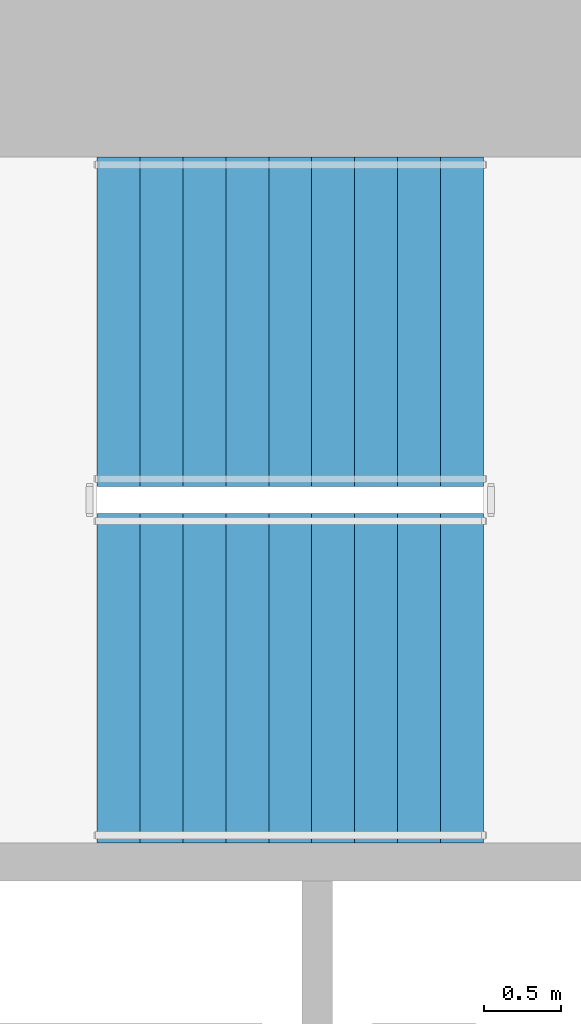
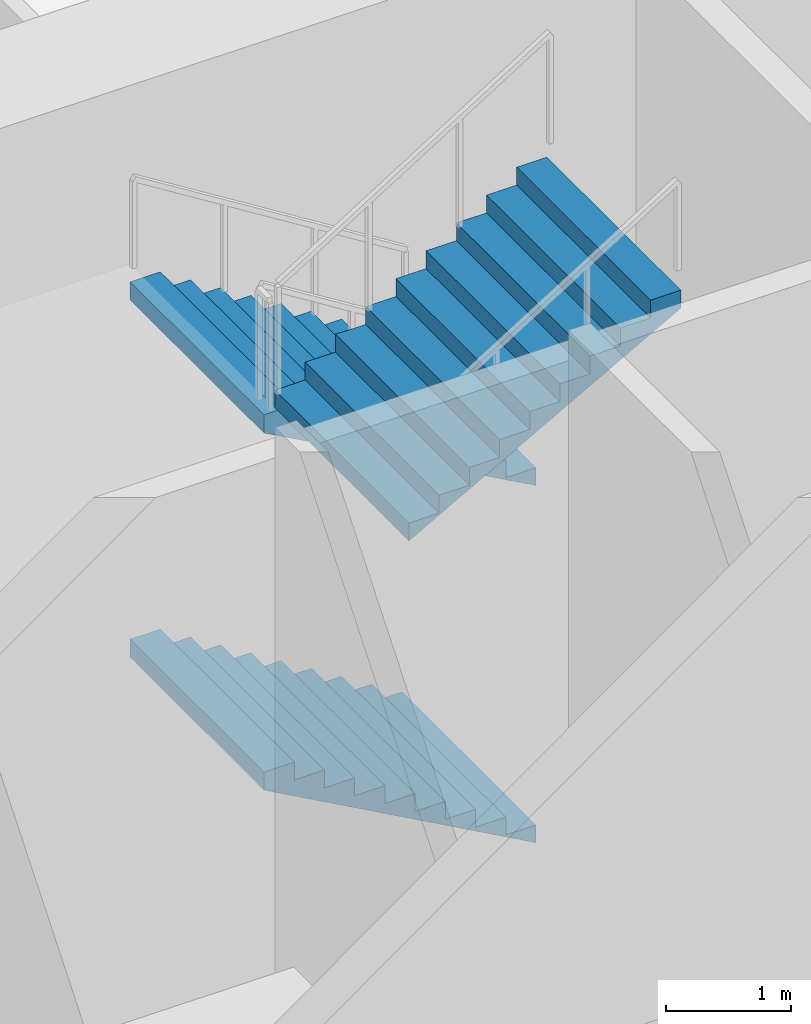
# One storey, part 17 of 22: 3 stair flights, 1 element without a shape of its own.
"""IFC4 building model written with IfcOpenShell, lengths in metres."""

from ifc_helpers import new_model, si_unit, direction, frame, origin, place, context, subcontext, project, spatial, triangles, material, type_object, element, aggregate, save


model = new_model("IFC4")

# Units and contexts
model_context = context("Model", 3, precision=1e-05, world=origin(), true_north=direction((0.0, 1.0)))
body_context = subcontext(model_context, "Body", "Model", "MODEL_VIEW")
ifc_project = project(units=[si_unit("LENGTHUNIT", "METRE"), si_unit("AREAUNIT", "SQUARE_METRE"), si_unit("VOLUMEUNIT", "CUBIC_METRE"), si_unit("PLANEANGLEUNIT", "RADIAN"), si_unit("MASSUNIT", "GRAM", prefix="KILO")], contexts=[model_context])

# Site, building, storey
site_placement = place(None, origin())
site = spatial("IfcSite", under=ifc_project, at=site_placement, CompositionType="ELEMENT")
building_placement = place(site_placement, origin())
building = spatial("IfcBuilding", under=site, at=building_placement, Name="Cypress Arch Tower", CompositionType="ELEMENT")
storey_placement = place(building_placement, frame((0.0, 0.0, 145.5)))
storey = spatial("IfcBuildingStorey", under=building, at=storey_placement, Name="L32", CompositionType="ELEMENT", Elevation=145.5)

# Stair, stair flights
ifc_material_1 = material(Name="Concrete C40/50", Category="concrete")
stair_type = type_object("IfcStairType", Name="Exit stair ES1750-215", PredefinedType="HALF_TURN_STAIR", material=ifc_material_1)
stair_placement = place(storey_placement, origin())
stair = element("IfcStair", 1, at=stair_placement, inside=storey, type_object=stair_type, Name="L32 Exit stair B", PredefinedType="HALF_TURN_STAIR")
ifc_material_2 = material(Name="Concrete C40/50", Category="concrete")
stair_flight_type = type_object("IfcStairFlightType", Name="Exit stair flight ES1750-215", PredefinedType="STRAIGHT", material=ifc_material_2)
stair_flight_1_placement = place(storey_placement, frame((-22.27490234375, 13.72509765625, 0.0), z_axis=(0.0, 0.0, 1.0), x_axis=(-1.0, 0.0, 0.0)))
stair_flight_1 = element("IfcStairFlight", 2, at=stair_flight_1_placement, type_object=stair_flight_type, Name="B flight 1", NumberOfRisers=10, NumberOfTreads=9, PredefinedType="STRAIGHT", RiserHeight=0.175, TreadLength=0.28, context=body_context, shape_type="Tessellation", body=[
    triangles([(0.0, -1.074951171875, 0.0), (0.000244140625, -1.074951171875, 0.01953125), (0.000244140625, -1.074951171875, 0.038818359375), (0.00048828125, -1.074951171875, 0.058349609375), (0.00048828125, -1.074951171875, 0.077880859375), (0.00048828125, -1.074951171875, 0.09716796875), (0.00048828125, -1.074951171875, 0.11669921875), (0.000244140625, -1.074951171875, 0.13623046875), (0.000244140625, -1.074951171875, 0.155517578125), (0.0, -1.074951171875, 0.175048828125), (0.280029296875, -1.074951171875, 0.175048828125), (0.280029296875, -1.074951171875, 0.35009765625), (0.56005859375, -1.074951171875, 0.35009765625), (0.56005859375, -1.074951171875, 0.52490234375), (0.840087890625, -1.074951171875, 0.52490234375), (0.840087890625, -1.074951171875, 0.699951171875), (1.1201171875, -1.074951171875, 0.699951171875), (1.1201171875, -1.074951171875, 0.875), (1.39990234375, -1.074951171875, 0.875), (1.39990234375, -1.074951171875, 1.050048828125), (1.679931640625, -1.074951171875, 1.050048828125), (1.679931640625, -1.074951171875, 1.22509765625), (1.9599609375, -1.074951171875, 1.22509765625), (1.9599609375, -1.074951171875, 1.39990234375), (2.239990234375, -1.074951171875, 1.39990234375), (2.239990234375, -1.074951171875, 1.574951171875), (2.52001953125, -1.074951171875, 1.574951171875), (2.519775390625, -1.074951171875, 1.555419921875), (2.519775390625, -1.074951171875, 1.53564453125), (2.51953125, -1.074951171875, 1.51611328125), (2.51953125, -1.074951171875, 1.496337890625), (2.51953125, -1.074951171875, 1.476806640625), (2.51953125, -1.074951171875, 1.45703125), (2.519775390625, -1.074951171875, 1.4375), (2.519775390625, -1.074951171875, 1.417724609375), (2.52001953125, -1.074951171875, 1.398193359375), (2.52001953125, 1.074951171875, 1.398193359375), (2.519775390625, 1.074951171875, 1.417724609375), (2.519775390625, 1.074951171875, 1.4375), (2.51953125, 1.074951171875, 1.45703125), (2.51953125, 1.074951171875, 1.476806640625), (2.51953125, 1.074951171875, 1.496337890625), (2.51953125, 1.074951171875, 1.51611328125), (2.519775390625, 1.074951171875, 1.53564453125), (2.519775390625, 1.074951171875, 1.555419921875), (2.52001953125, 1.074951171875, 1.574951171875), (2.239990234375, 1.074951171875, 1.574951171875), (2.239990234375, 1.074951171875, 1.39990234375), (1.9599609375, 1.074951171875, 1.39990234375), (1.9599609375, 1.074951171875, 1.22509765625), (1.679931640625, 1.074951171875, 1.22509765625), (1.679931640625, 1.074951171875, 1.050048828125), (1.39990234375, 1.074951171875, 1.050048828125), (1.39990234375, 1.074951171875, 0.875), (1.1201171875, 1.074951171875, 0.875), (1.1201171875, 1.074951171875, 0.699951171875), (0.840087890625, 1.074951171875, 0.699951171875), (0.840087890625, 1.074951171875, 0.52490234375), (0.56005859375, 1.074951171875, 0.52490234375), (0.56005859375, 1.074951171875, 0.35009765625), (0.280029296875, 1.074951171875, 0.35009765625), (0.280029296875, 1.074951171875, 0.175048828125), (0.0, 1.074951171875, 0.175048828125), (0.000244140625, 1.074951171875, 0.155517578125), (0.000244140625, 1.074951171875, 0.13623046875), (0.00048828125, 1.074951171875, 0.11669921875), (0.00048828125, 1.074951171875, 0.09716796875), (0.00048828125, 1.074951171875, 0.077880859375), (0.00048828125, 1.074951171875, 0.058349609375), (0.000244140625, 1.074951171875, 0.038818359375), (0.000244140625, 1.074951171875, 0.01953125), (0.0, 1.074951171875, 0.0), (2.519775390625, 0.0, 1.417724609375), (2.52001953125, 0.0, 1.398193359375), (2.519775390625, 0.0, 1.4375), (2.51953125, 0.0, 1.45703125), (2.51953125, 0.0, 1.476806640625), (2.51953125, 0.0, 1.496337890625), (2.51953125, 0.0, 1.51611328125), (2.519775390625, 0.0, 1.53564453125), (2.519775390625, 0.0, 1.555419921875), (2.52001953125, 0.0, 1.574951171875), (2.239990234375, 0.0, 1.574951171875), (2.239990234375, 0.0, 1.39990234375), (1.9599609375, 0.0, 1.39990234375), (1.9599609375, 0.0, 1.22509765625), (1.679931640625, 0.0, 1.22509765625), (1.679931640625, 0.0, 1.050048828125), (1.39990234375, 0.0, 1.050048828125), (1.39990234375, 0.0, 0.875), (1.1201171875, 0.0, 0.875), (1.1201171875, 0.0, 0.699951171875), (0.840087890625, 0.0, 0.699951171875), (0.840087890625, 0.0, 0.52490234375), (0.56005859375, 0.0, 0.52490234375), (0.56005859375, 0.0, 0.35009765625), (0.280029296875, 0.0, 0.35009765625), (0.280029296875, 0.0, 0.175048828125), (0.0, 0.0, 0.175048828125), (0.000244140625, 0.0, 0.155517578125), (0.000244140625, 0.0, 0.13623046875), (0.00048828125, 0.0, 0.11669921875), (0.00048828125, 0.0, 0.09716796875), (0.00048828125, 0.0, 0.077880859375), (0.00048828125, 0.0, 0.058349609375), (0.000244140625, 0.0, 0.038818359375), (0.000244140625, 0.0, 0.01953125), (0.0, 0.0, 0.0)], [[36, 35, 26], [35, 34, 26], [34, 33, 26], [33, 32, 26], [32, 31, 26], [31, 30, 26], [30, 29, 26], [29, 28, 26], [28, 27, 26], [19, 18, 17], [23, 22, 21], [21, 20, 19], [17, 16, 15], [13, 12, 11], [10, 9, 11], [9, 8, 11], [8, 7, 11], [7, 6, 11], [6, 5, 11], [5, 4, 11], [4, 3, 11], [3, 2, 11], [2, 1, 11], [25, 24, 23], [15, 14, 13], [36, 26, 25], [36, 25, 23], [36, 23, 21], [36, 21, 19], [36, 19, 17], [36, 17, 15], [1, 36, 15], [15, 13, 11], [15, 11, 1], [37, 47, 38], [38, 47, 39], [39, 47, 40], [40, 47, 41], [41, 47, 42], [42, 47, 43], [43, 47, 44], [44, 47, 45], [45, 47, 46], [54, 56, 55], [50, 52, 51], [52, 54, 53], [56, 58, 57], [60, 62, 61], [63, 62, 64], [64, 62, 65], [65, 62, 66], [66, 62, 67], [67, 62, 68], [68, 62, 69], [69, 62, 70], [70, 62, 71], [71, 62, 72], [48, 50, 49], [58, 60, 59], [37, 48, 47], [37, 50, 48], [37, 52, 50], [37, 54, 52], [37, 56, 54], [37, 58, 56], [72, 58, 37], [58, 62, 60], [58, 72, 62], [74, 73, 35], [74, 35, 36], [37, 38, 73], [37, 73, 74], [73, 75, 34], [73, 34, 35], [38, 39, 75], [38, 75, 73], [75, 76, 33], [75, 33, 34], [39, 40, 76], [39, 76, 75], [76, 77, 32], [76, 32, 33], [40, 41, 77], [40, 77, 76], [77, 78, 31], [77, 31, 32], [41, 42, 78], [41, 78, 77], [78, 79, 30], [78, 30, 31], [42, 43, 79], [42, 79, 78], [79, 80, 29], [79, 29, 30], [43, 44, 80], [43, 80, 79], [80, 81, 28], [80, 28, 29], [44, 45, 81], [44, 81, 80], [81, 82, 27], [81, 27, 28], [45, 46, 82], [45, 82, 81], [82, 83, 26], [82, 26, 27], [46, 47, 83], [46, 83, 82], [83, 84, 25], [83, 25, 26], [47, 48, 84], [47, 84, 83], [84, 85, 24], [84, 24, 25], [48, 49, 85], [48, 85, 84], [85, 86, 23], [85, 23, 24], [49, 50, 86], [49, 86, 85], [86, 87, 22], [86, 22, 23], [50, 51, 87], [50, 87, 86], [87, 88, 21], [87, 21, 22], [51, 52, 88], [51, 88, 87], [88, 89, 20], [88, 20, 21], [52, 53, 89], [52, 89, 88], [89, 90, 19], [89, 19, 20], [53, 54, 90], [53, 90, 89], [90, 91, 18], [90, 18, 19], [54, 55, 91], [54, 91, 90], [91, 92, 17], [91, 17, 18], [55, 56, 92], [55, 92, 91], [92, 93, 16], [92, 16, 17], [56, 57, 93], [56, 93, 92], [93, 94, 15], [93, 15, 16], [57, 58, 94], [57, 94, 93], [94, 95, 14], [94, 14, 15], [58, 59, 95], [58, 95, 94], [95, 96, 13], [95, 13, 14], [59, 60, 96], [59, 96, 95], [96, 97, 12], [96, 12, 13], [60, 61, 97], [60, 97, 96], [97, 98, 11], [97, 11, 12], [61, 62, 98], [61, 98, 97], [98, 99, 10], [98, 10, 11], [62, 63, 99], [62, 99, 98], [99, 100, 9], [99, 9, 10], [63, 64, 100], [63, 100, 99], [100, 101, 8], [100, 8, 9], [64, 65, 101], [64, 101, 100], [101, 102, 7], [101, 7, 8], [65, 66, 102], [65, 102, 101], [102, 103, 6], [102, 6, 7], [66, 67, 103], [66, 103, 102], [103, 104, 5], [103, 5, 6], [67, 68, 104], [67, 104, 103], [104, 105, 4], [104, 4, 5], [68, 69, 105], [68, 105, 104], [105, 106, 3], [105, 3, 4], [69, 70, 106], [69, 106, 105], [106, 107, 2], [106, 2, 3], [70, 71, 107], [70, 107, 106], [107, 108, 1], [107, 1, 2], [71, 72, 108], [71, 108, 107], [108, 74, 36], [108, 36, 1], [72, 37, 74], [72, 74, 108]], closed=True),
])
stair_flight_2_placement = place(storey_placement, frame((-22.27490234375, 13.72509765625, 3.5), z_axis=(0.0, 0.0, 1.0), x_axis=(-1.0, 0.0, 0.0)))
stair_flight_2 = element("IfcStairFlight", 3, at=stair_flight_2_placement, type_object=stair_flight_type, Name="B flight 3", NumberOfRisers=10, NumberOfTreads=9, PredefinedType="STRAIGHT", RiserHeight=0.175, TreadLength=0.28, context=body_context, shape_type="Tessellation", body=[
    triangles([(0.0, -1.074951171875, 0.0), (0.000244140625, -1.074951171875, 0.01953125), (0.000244140625, -1.074951171875, 0.038818359375), (0.00048828125, -1.074951171875, 0.058349609375), (0.00048828125, -1.074951171875, 0.077880859375), (0.00048828125, -1.074951171875, 0.09716796875), (0.00048828125, -1.074951171875, 0.11669921875), (0.000244140625, -1.074951171875, 0.13623046875), (0.000244140625, -1.074951171875, 0.155517578125), (0.0, -1.074951171875, 0.175048828125), (0.280029296875, -1.074951171875, 0.175048828125), (0.280029296875, -1.074951171875, 0.35009765625), (0.56005859375, -1.074951171875, 0.35009765625), (0.56005859375, -1.074951171875, 0.52490234375), (0.840087890625, -1.074951171875, 0.52490234375), (0.840087890625, -1.074951171875, 0.699951171875), (1.1201171875, -1.074951171875, 0.699951171875), (1.1201171875, -1.074951171875, 0.875), (1.39990234375, -1.074951171875, 0.875), (1.39990234375, -1.074951171875, 1.050048828125), (1.679931640625, -1.074951171875, 1.050048828125), (1.679931640625, -1.074951171875, 1.22509765625), (1.9599609375, -1.074951171875, 1.22509765625), (1.9599609375, -1.074951171875, 1.39990234375), (2.239990234375, -1.074951171875, 1.39990234375), (2.239990234375, -1.074951171875, 1.574951171875), (2.52001953125, -1.074951171875, 1.574951171875), (2.519775390625, -1.074951171875, 1.555419921875), (2.519775390625, -1.074951171875, 1.53564453125), (2.51953125, -1.074951171875, 1.51611328125), (2.51953125, -1.074951171875, 1.496337890625), (2.51953125, -1.074951171875, 1.476806640625), (2.51953125, -1.074951171875, 1.45703125), (2.519775390625, -1.074951171875, 1.4375), (2.519775390625, -1.074951171875, 1.417724609375), (2.52001953125, -1.074951171875, 1.398193359375), (2.52001953125, 1.074951171875, 1.398193359375), (2.519775390625, 1.074951171875, 1.417724609375), (2.519775390625, 1.074951171875, 1.4375), (2.51953125, 1.074951171875, 1.45703125), (2.51953125, 1.074951171875, 1.476806640625), (2.51953125, 1.074951171875, 1.496337890625), (2.51953125, 1.074951171875, 1.51611328125), (2.519775390625, 1.074951171875, 1.53564453125), (2.519775390625, 1.074951171875, 1.555419921875), (2.52001953125, 1.074951171875, 1.574951171875), (2.239990234375, 1.074951171875, 1.574951171875), (2.239990234375, 1.074951171875, 1.39990234375), (1.9599609375, 1.074951171875, 1.39990234375), (1.9599609375, 1.074951171875, 1.22509765625), (1.679931640625, 1.074951171875, 1.22509765625), (1.679931640625, 1.074951171875, 1.050048828125), (1.39990234375, 1.074951171875, 1.050048828125), (1.39990234375, 1.074951171875, 0.875), (1.1201171875, 1.074951171875, 0.875), (1.1201171875, 1.074951171875, 0.699951171875), (0.840087890625, 1.074951171875, 0.699951171875), (0.840087890625, 1.074951171875, 0.52490234375), (0.56005859375, 1.074951171875, 0.52490234375), (0.56005859375, 1.074951171875, 0.35009765625), (0.280029296875, 1.074951171875, 0.35009765625), (0.280029296875, 1.074951171875, 0.175048828125), (0.0, 1.074951171875, 0.175048828125), (0.000244140625, 1.074951171875, 0.155517578125), (0.000244140625, 1.074951171875, 0.13623046875), (0.00048828125, 1.074951171875, 0.11669921875), (0.00048828125, 1.074951171875, 0.09716796875), (0.00048828125, 1.074951171875, 0.077880859375), (0.00048828125, 1.074951171875, 0.058349609375), (0.000244140625, 1.074951171875, 0.038818359375), (0.000244140625, 1.074951171875, 0.01953125), (0.0, 1.074951171875, 0.0), (2.519775390625, 0.0, 1.417724609375), (2.52001953125, 0.0, 1.398193359375), (2.519775390625, 0.0, 1.4375), (2.51953125, 0.0, 1.45703125), (2.51953125, 0.0, 1.476806640625), (2.51953125, 0.0, 1.496337890625), (2.51953125, 0.0, 1.51611328125), (2.519775390625, 0.0, 1.53564453125), (2.519775390625, 0.0, 1.555419921875), (2.52001953125, 0.0, 1.574951171875), (2.239990234375, 0.0, 1.574951171875), (2.239990234375, 0.0, 1.39990234375), (1.9599609375, 0.0, 1.39990234375), (1.9599609375, 0.0, 1.22509765625), (1.679931640625, 0.0, 1.22509765625), (1.679931640625, 0.0, 1.050048828125), (1.39990234375, 0.0, 1.050048828125), (1.39990234375, 0.0, 0.875), (1.1201171875, 0.0, 0.875), (1.1201171875, 0.0, 0.699951171875), (0.840087890625, 0.0, 0.699951171875), (0.840087890625, 0.0, 0.52490234375), (0.56005859375, 0.0, 0.52490234375), (0.56005859375, 0.0, 0.35009765625), (0.280029296875, 0.0, 0.35009765625), (0.280029296875, 0.0, 0.175048828125), (0.0, 0.0, 0.175048828125), (0.000244140625, 0.0, 0.155517578125), (0.000244140625, 0.0, 0.13623046875), (0.00048828125, 0.0, 0.11669921875), (0.00048828125, 0.0, 0.09716796875), (0.00048828125, 0.0, 0.077880859375), (0.00048828125, 0.0, 0.058349609375), (0.000244140625, 0.0, 0.038818359375), (0.000244140625, 0.0, 0.01953125), (0.0, 0.0, 0.0)], [[36, 35, 26], [35, 34, 26], [34, 33, 26], [33, 32, 26], [32, 31, 26], [31, 30, 26], [30, 29, 26], [29, 28, 26], [28, 27, 26], [19, 18, 17], [23, 22, 21], [21, 20, 19], [17, 16, 15], [13, 12, 11], [10, 9, 11], [9, 8, 11], [8, 7, 11], [7, 6, 11], [6, 5, 11], [5, 4, 11], [4, 3, 11], [3, 2, 11], [2, 1, 11], [25, 24, 23], [15, 14, 13], [36, 26, 25], [36, 25, 23], [36, 23, 21], [36, 21, 19], [36, 19, 17], [36, 17, 15], [1, 36, 15], [15, 13, 11], [15, 11, 1], [37, 47, 38], [38, 47, 39], [39, 47, 40], [40, 47, 41], [41, 47, 42], [42, 47, 43], [43, 47, 44], [44, 47, 45], [45, 47, 46], [54, 56, 55], [50, 52, 51], [52, 54, 53], [56, 58, 57], [60, 62, 61], [63, 62, 64], [64, 62, 65], [65, 62, 66], [66, 62, 67], [67, 62, 68], [68, 62, 69], [69, 62, 70], [70, 62, 71], [71, 62, 72], [48, 50, 49], [58, 60, 59], [37, 48, 47], [37, 50, 48], [37, 52, 50], [37, 54, 52], [37, 56, 54], [37, 58, 56], [72, 58, 37], [58, 62, 60], [58, 72, 62], [74, 73, 35], [74, 35, 36], [37, 38, 73], [37, 73, 74], [73, 75, 34], [73, 34, 35], [38, 39, 75], [38, 75, 73], [75, 76, 33], [75, 33, 34], [39, 40, 76], [39, 76, 75], [76, 77, 32], [76, 32, 33], [40, 41, 77], [40, 77, 76], [77, 78, 31], [77, 31, 32], [41, 42, 78], [41, 78, 77], [78, 79, 30], [78, 30, 31], [42, 43, 79], [42, 79, 78], [79, 80, 29], [79, 29, 30], [43, 44, 80], [43, 80, 79], [80, 81, 28], [80, 28, 29], [44, 45, 81], [44, 81, 80], [81, 82, 27], [81, 27, 28], [45, 46, 82], [45, 82, 81], [82, 83, 26], [82, 26, 27], [46, 47, 83], [46, 83, 82], [83, 84, 25], [83, 25, 26], [47, 48, 84], [47, 84, 83], [84, 85, 24], [84, 24, 25], [48, 49, 85], [48, 85, 84], [85, 86, 23], [85, 23, 24], [49, 50, 86], [49, 86, 85], [86, 87, 22], [86, 22, 23], [50, 51, 87], [50, 87, 86], [87, 88, 21], [87, 21, 22], [51, 52, 88], [51, 88, 87], [88, 89, 20], [88, 20, 21], [52, 53, 89], [52, 89, 88], [89, 90, 19], [89, 19, 20], [53, 54, 90], [53, 90, 89], [90, 91, 18], [90, 18, 19], [54, 55, 91], [54, 91, 90], [91, 92, 17], [91, 17, 18], [55, 56, 92], [55, 92, 91], [92, 93, 16], [92, 16, 17], [56, 57, 93], [56, 93, 92], [93, 94, 15], [93, 15, 16], [57, 58, 94], [57, 94, 93], [94, 95, 14], [94, 14, 15], [58, 59, 95], [58, 95, 94], [95, 96, 13], [95, 13, 14], [59, 60, 96], [59, 96, 95], [96, 97, 12], [96, 12, 13], [60, 61, 97], [60, 97, 96], [97, 98, 11], [97, 11, 12], [61, 62, 98], [61, 98, 97], [98, 99, 10], [98, 10, 11], [62, 63, 99], [62, 99, 98], [99, 100, 9], [99, 9, 10], [63, 64, 100], [63, 100, 99], [100, 101, 8], [100, 8, 9], [64, 65, 101], [64, 101, 100], [101, 102, 7], [101, 7, 8], [65, 66, 102], [65, 102, 101], [102, 103, 6], [102, 6, 7], [66, 67, 103], [66, 103, 102], [103, 104, 5], [103, 5, 6], [67, 68, 104], [67, 104, 103], [104, 105, 4], [104, 4, 5], [68, 69, 105], [68, 105, 104], [105, 106, 3], [105, 3, 4], [69, 70, 106], [69, 106, 105], [106, 107, 2], [106, 2, 3], [70, 71, 107], [70, 107, 106], [107, 108, 1], [107, 1, 2], [71, 72, 108], [71, 108, 107], [108, 74, 36], [108, 36, 1], [72, 37, 74], [72, 74, 108]], closed=True),
])
stair_flight_3_placement = place(storey_placement, frame((-24.794921875, 11.39990234375, 5.25), z_axis=(0.0, 0.0, 1.0), x_axis=(1.0, 0.0, 0.0)))
stair_flight_3 = element("IfcStairFlight", 4, at=stair_flight_3_placement, type_object=stair_flight_type, Name="B flight 4", NumberOfRisers=10, NumberOfTreads=9, PredefinedType="STRAIGHT", RiserHeight=0.175, TreadLength=0.28, context=body_context, shape_type="Tessellation", body=[
    triangles([(0.0, -1.074951171875, 0.0), (0.000244140625, -1.074951171875, 0.01953125), (0.000244140625, -1.074951171875, 0.038818359375), (0.00048828125, -1.074951171875, 0.058349609375), (0.00048828125, -1.074951171875, 0.077880859375), (0.00048828125, -1.074951171875, 0.09716796875), (0.00048828125, -1.074951171875, 0.11669921875), (0.000244140625, -1.074951171875, 0.13623046875), (0.000244140625, -1.074951171875, 0.155517578125), (0.0, -1.074951171875, 0.175048828125), (0.280029296875, -1.074951171875, 0.175048828125), (0.280029296875, -1.074951171875, 0.35009765625), (0.56005859375, -1.074951171875, 0.35009765625), (0.56005859375, -1.074951171875, 0.52490234375), (0.840087890625, -1.074951171875, 0.52490234375), (0.840087890625, -1.074951171875, 0.699951171875), (1.1201171875, -1.074951171875, 0.699951171875), (1.1201171875, -1.074951171875, 0.875), (1.39990234375, -1.074951171875, 0.875), (1.39990234375, -1.074951171875, 1.050048828125), (1.679931640625, -1.074951171875, 1.050048828125), (1.679931640625, -1.074951171875, 1.22509765625), (1.9599609375, -1.074951171875, 1.22509765625), (1.9599609375, -1.074951171875, 1.39990234375), (2.239990234375, -1.074951171875, 1.39990234375), (2.239990234375, -1.074951171875, 1.574951171875), (2.52001953125, -1.074951171875, 1.574951171875), (2.519775390625, -1.074951171875, 1.555419921875), (2.519775390625, -1.074951171875, 1.53564453125), (2.51953125, -1.074951171875, 1.51611328125), (2.51953125, -1.074951171875, 1.496337890625), (2.51953125, -1.074951171875, 1.476806640625), (2.51953125, -1.074951171875, 1.45703125), (2.519775390625, -1.074951171875, 1.4375), (2.519775390625, -1.074951171875, 1.417724609375), (2.52001953125, -1.074951171875, 1.398193359375), (2.52001953125, 1.074951171875, 1.398193359375), (2.519775390625, 1.074951171875, 1.417724609375), (2.519775390625, 1.074951171875, 1.4375), (2.51953125, 1.074951171875, 1.45703125), (2.51953125, 1.074951171875, 1.476806640625), (2.51953125, 1.074951171875, 1.496337890625), (2.51953125, 1.074951171875, 1.51611328125), (2.519775390625, 1.074951171875, 1.53564453125), (2.519775390625, 1.074951171875, 1.555419921875), (2.52001953125, 1.074951171875, 1.574951171875), (2.239990234375, 1.074951171875, 1.574951171875), (2.239990234375, 1.074951171875, 1.39990234375), (1.9599609375, 1.074951171875, 1.39990234375), (1.9599609375, 1.074951171875, 1.22509765625), (1.679931640625, 1.074951171875, 1.22509765625), (1.679931640625, 1.074951171875, 1.050048828125), (1.39990234375, 1.074951171875, 1.050048828125), (1.39990234375, 1.074951171875, 0.875), (1.1201171875, 1.074951171875, 0.875), (1.1201171875, 1.074951171875, 0.699951171875), (0.840087890625, 1.074951171875, 0.699951171875), (0.840087890625, 1.074951171875, 0.52490234375), (0.56005859375, 1.074951171875, 0.52490234375), (0.56005859375, 1.074951171875, 0.35009765625), (0.280029296875, 1.074951171875, 0.35009765625), (0.280029296875, 1.074951171875, 0.175048828125), (0.0, 1.074951171875, 0.175048828125), (0.000244140625, 1.074951171875, 0.155517578125), (0.000244140625, 1.074951171875, 0.13623046875), (0.00048828125, 1.074951171875, 0.11669921875), (0.00048828125, 1.074951171875, 0.09716796875), (0.00048828125, 1.074951171875, 0.077880859375), (0.00048828125, 1.074951171875, 0.058349609375), (0.000244140625, 1.074951171875, 0.038818359375), (0.000244140625, 1.074951171875, 0.01953125), (0.0, 1.074951171875, 0.0), (2.519775390625, 0.0, 1.417724609375), (2.52001953125, 0.0, 1.398193359375), (2.519775390625, 0.0, 1.4375), (2.51953125, 0.0, 1.45703125), (2.51953125, 0.0, 1.476806640625), (2.51953125, 0.0, 1.496337890625), (2.51953125, 0.0, 1.51611328125), (2.519775390625, 0.0, 1.53564453125), (2.519775390625, 0.0, 1.555419921875), (2.52001953125, 0.0, 1.574951171875), (2.239990234375, 0.0, 1.574951171875), (2.239990234375, 0.0, 1.39990234375), (1.9599609375, 0.0, 1.39990234375), (1.9599609375, 0.0, 1.22509765625), (1.679931640625, 0.0, 1.22509765625), (1.679931640625, 0.0, 1.050048828125), (1.39990234375, 0.0, 1.050048828125), (1.39990234375, 0.0, 0.875), (1.1201171875, 0.0, 0.875), (1.1201171875, 0.0, 0.699951171875), (0.840087890625, 0.0, 0.699951171875), (0.840087890625, 0.0, 0.52490234375), (0.56005859375, 0.0, 0.52490234375), (0.56005859375, 0.0, 0.35009765625), (0.280029296875, 0.0, 0.35009765625), (0.280029296875, 0.0, 0.175048828125), (0.0, 0.0, 0.175048828125), (0.000244140625, 0.0, 0.155517578125), (0.000244140625, 0.0, 0.13623046875), (0.00048828125, 0.0, 0.11669921875), (0.00048828125, 0.0, 0.09716796875), (0.00048828125, 0.0, 0.077880859375), (0.00048828125, 0.0, 0.058349609375), (0.000244140625, 0.0, 0.038818359375), (0.000244140625, 0.0, 0.01953125), (0.0, 0.0, 0.0)], [[36, 35, 26], [35, 34, 26], [34, 33, 26], [33, 32, 26], [32, 31, 26], [31, 30, 26], [30, 29, 26], [29, 28, 26], [28, 27, 26], [19, 18, 17], [23, 22, 21], [21, 20, 19], [17, 16, 15], [13, 12, 11], [10, 9, 11], [9, 8, 11], [8, 7, 11], [7, 6, 11], [6, 5, 11], [5, 4, 11], [4, 3, 11], [3, 2, 11], [2, 1, 11], [25, 24, 23], [15, 14, 13], [36, 26, 25], [36, 25, 23], [36, 23, 21], [36, 21, 19], [36, 19, 17], [36, 17, 15], [1, 36, 15], [15, 13, 11], [15, 11, 1], [37, 47, 38], [38, 47, 39], [39, 47, 40], [40, 47, 41], [41, 47, 42], [42, 47, 43], [43, 47, 44], [44, 47, 45], [45, 47, 46], [54, 56, 55], [50, 52, 51], [52, 54, 53], [56, 58, 57], [60, 62, 61], [63, 62, 64], [64, 62, 65], [65, 62, 66], [66, 62, 67], [67, 62, 68], [68, 62, 69], [69, 62, 70], [70, 62, 71], [71, 62, 72], [48, 50, 49], [58, 60, 59], [37, 48, 47], [37, 50, 48], [37, 52, 50], [37, 54, 52], [37, 56, 54], [37, 58, 56], [72, 58, 37], [58, 62, 60], [58, 72, 62], [74, 73, 35], [74, 35, 36], [37, 38, 73], [37, 73, 74], [73, 75, 34], [73, 34, 35], [38, 39, 75], [38, 75, 73], [75, 76, 33], [75, 33, 34], [39, 40, 76], [39, 76, 75], [76, 77, 32], [76, 32, 33], [40, 41, 77], [40, 77, 76], [77, 78, 31], [77, 31, 32], [41, 42, 78], [41, 78, 77], [78, 79, 30], [78, 30, 31], [42, 43, 79], [42, 79, 78], [79, 80, 29], [79, 29, 30], [43, 44, 80], [43, 80, 79], [80, 81, 28], [80, 28, 29], [44, 45, 81], [44, 81, 80], [81, 82, 27], [81, 27, 28], [45, 46, 82], [45, 82, 81], [82, 83, 26], [82, 26, 27], [46, 47, 83], [46, 83, 82], [83, 84, 25], [83, 25, 26], [47, 48, 84], [47, 84, 83], [84, 85, 24], [84, 24, 25], [48, 49, 85], [48, 85, 84], [85, 86, 23], [85, 23, 24], [49, 50, 86], [49, 86, 85], [86, 87, 22], [86, 22, 23], [50, 51, 87], [50, 87, 86], [87, 88, 21], [87, 21, 22], [51, 52, 88], [51, 88, 87], [88, 89, 20], [88, 20, 21], [52, 53, 89], [52, 89, 88], [89, 90, 19], [89, 19, 20], [53, 54, 90], [53, 90, 89], [90, 91, 18], [90, 18, 19], [54, 55, 91], [54, 91, 90], [91, 92, 17], [91, 17, 18], [55, 56, 92], [55, 92, 91], [92, 93, 16], [92, 16, 17], [56, 57, 93], [56, 93, 92], [93, 94, 15], [93, 15, 16], [57, 58, 94], [57, 94, 93], [94, 95, 14], [94, 14, 15], [58, 59, 95], [58, 95, 94], [95, 96, 13], [95, 13, 14], [59, 60, 96], [59, 96, 95], [96, 97, 12], [96, 12, 13], [60, 61, 97], [60, 97, 96], [97, 98, 11], [97, 11, 12], [61, 62, 98], [61, 98, 97], [98, 99, 10], [98, 10, 11], [62, 63, 99], [62, 99, 98], [99, 100, 9], [99, 9, 10], [63, 64, 100], [63, 100, 99], [100, 101, 8], [100, 8, 9], [64, 65, 101], [64, 101, 100], [101, 102, 7], [101, 7, 8], [65, 66, 102], [65, 102, 101], [102, 103, 6], [102, 6, 7], [66, 67, 103], [66, 103, 102], [103, 104, 5], [103, 5, 6], [67, 68, 104], [67, 104, 103], [104, 105, 4], [104, 4, 5], [68, 69, 105], [68, 105, 104], [105, 106, 3], [105, 3, 4], [69, 70, 106], [69, 106, 105], [106, 107, 2], [106, 2, 3], [70, 71, 107], [70, 107, 106], [107, 108, 1], [107, 1, 2], [71, 72, 108], [71, 108, 107], [108, 74, 36], [108, 36, 1], [72, 37, 74], [72, 74, 108]], closed=True),
])
aggregate(stair, [stair_flight_1, stair_flight_2, stair_flight_3])

save(model, "model.ifc")
